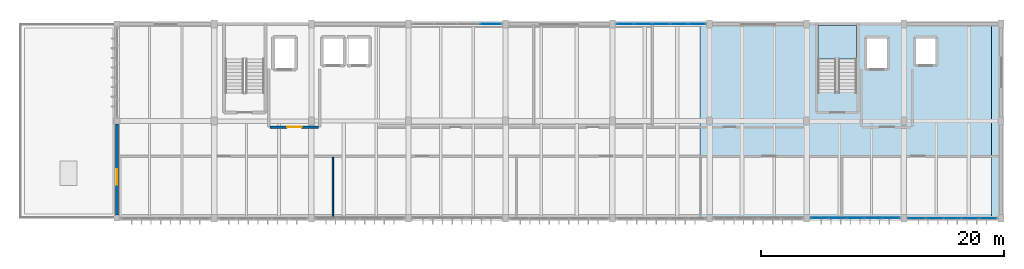
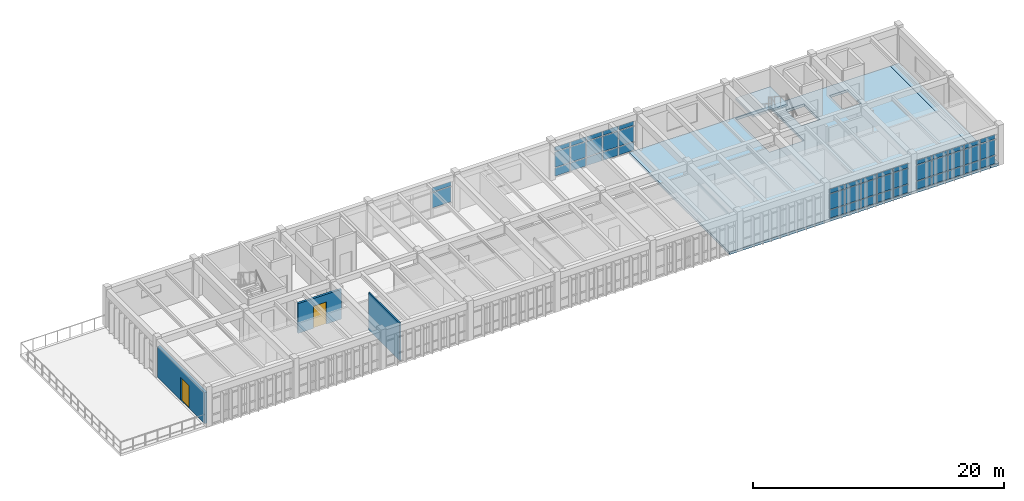
# One storey, part 10 of 15: 47 plates, 3 slabs, 3 walls, 2 doors, 2 openings, 5 elements without a shape of their own.
"""IFC4 building model written with IfcOpenShell, lengths in metres."""

from ifc_helpers import new_model, si_unit, direction, frame, frame_2d, origin, origin_2d, place, context, subcontext, project, spatial, polyline, rectangle, outline, extrude, material, layer, layer_set, type_object, element, fill, aggregate, save


model = new_model("IFC4")

# Units and contexts
model_context = context("Model", 3, precision=1e-05, world=origin(), true_north=direction((0.0, 1.0)))
body_context = subcontext(model_context, "Body", "Model", "MODEL_VIEW")
ifc_project = project(units=[si_unit("LENGTHUNIT", "METRE"), si_unit("AREAUNIT", "SQUARE_METRE"), si_unit("VOLUMEUNIT", "CUBIC_METRE"), si_unit("PLANEANGLEUNIT", "RADIAN"), si_unit("MASSUNIT", "GRAM", prefix="KILO")], contexts=[model_context])

# Site, building, storey
site_placement = place(None, origin())
site = spatial("IfcSite", under=ifc_project, at=site_placement, CompositionType="ELEMENT")
building_placement = place(site_placement, origin())
building = spatial("IfcBuilding", under=site, at=building_placement, Name="Tlaxcora Railside Police Headquarters", CompositionType="ELEMENT")
storey_placement = place(building_placement, frame((0.0, 0.0, 25.800048828125)))
storey = spatial("IfcBuildingStorey", under=building, at=storey_placement, Name="L06", CompositionType="ELEMENT", Elevation=25.800048828125)

# Curtain wall, plates
ifc_material_1 = material(Name="Thermally broken low-E insulated glazing", Category="glass")
curtain_wall_type_1 = type_object("IfcCurtainWallType", Name="Unitised Curtain Wall Assembly CW-23", PredefinedType="NOTDEFINED", material=ifc_material_1)
curtain_wall_1_placement = place(storey_placement, origin())
curtain_wall_1 = element("IfcCurtainWall", 1, at=curtain_wall_1_placement, inside=storey, type_object=curtain_wall_type_1, Name="V5 L06 curtain wall 128", PredefinedType="NOTDEFINED")
ifc_layer_1 = layer(ifc_material_1, 0.0400390625, Name="Thermally broken low-E insulated glazing")
ifc_layer_set_1 = layer_set([ifc_layer_1], Name="Thermally broken low-E insulated glazing")
plate_type_1 = type_object("IfcPlateType", Name="Curtain Wall Infill Panel CW-17", PredefinedType="CURTAIN_PANEL", material=ifc_layer_set_1)
plate_1_placement = place(storey_placement, frame((71.06005859375, 76.800048828125, 0.080078125), z_axis=(0.0, 0.0, 1.0), x_axis=(1.0, 0.0, 0.0)))
plate_1 = element("IfcPlate", 2, at=plate_1_placement, type_object=plate_type_1, Name="CW panel 1.1", PredefinedType="CURTAIN_PANEL", context=body_context, shape_type="SweptSolid", body=[
    extrude(rectangle(XDim=1.360107421875, YDim=0.0400390625, at=origin_2d()), origin(), (0.0, 0.0, 1.0), 0.780029296875),
])
plate_2_placement = place(storey_placement, frame((71.06005859375, 76.800048828125, 0.93994140625), z_axis=(0.0, 0.0, 1.0), x_axis=(1.0, 0.0, 0.0)))
plate_2 = element("IfcPlate", 3, at=plate_2_placement, type_object=plate_type_1, Name="CW panel 1.2", PredefinedType="CURTAIN_PANEL", context=body_context, shape_type="SweptSolid", body=[
    extrude(rectangle(XDim=1.360107421875, YDim=0.0400390625, at=origin_2d()), origin(), (0.0, 0.0, 1.0), 1.47998046875),
])
plate_3_placement = place(storey_placement, frame((71.06005859375, 76.800048828125, 2.5), z_axis=(0.0, 0.0, 1.0), x_axis=(1.0, 0.0, 0.0)))
plate_3 = element("IfcPlate", 4, at=plate_3_placement, type_object=plate_type_1, Name="CW panel 1.3", PredefinedType="CURTAIN_PANEL", context=body_context, shape_type="SweptSolid", body=[
    extrude(rectangle(XDim=1.360107421875, YDim=0.0400390625, at=origin_2d()), origin(), (0.0, 0.0, 1.0), 0.409912109375),
])
plate_4_placement = place(storey_placement, frame((72.52001953125, 76.800048828125, 0.080078125), z_axis=(0.0, 0.0, 1.0), x_axis=(1.0, 0.0, 0.0)))
plate_4 = element("IfcPlate", 5, at=plate_4_placement, type_object=plate_type_1, Name="CW panel 2.1", PredefinedType="CURTAIN_PANEL", context=body_context, shape_type="SweptSolid", body=[
    extrude(rectangle(XDim=1.39990234375, YDim=0.0400390625, at=origin_2d()), origin(), (0.0, 0.0, 1.0), 0.780029296875),
])
plate_5_placement = place(storey_placement, frame((72.52001953125, 76.800048828125, 0.93994140625), z_axis=(0.0, 0.0, 1.0), x_axis=(1.0, 0.0, 0.0)))
plate_5 = element("IfcPlate", 6, at=plate_5_placement, type_object=plate_type_1, Name="CW panel 2.2", PredefinedType="CURTAIN_PANEL", context=body_context, shape_type="SweptSolid", body=[
    extrude(rectangle(XDim=1.39990234375, YDim=0.0400390625, at=origin_2d()), origin(), (0.0, 0.0, 1.0), 1.47998046875),
])
plate_6_placement = place(storey_placement, frame((72.52001953125, 76.800048828125, 2.5), z_axis=(0.0, 0.0, 1.0), x_axis=(1.0, 0.0, 0.0)))
plate_6 = element("IfcPlate", 7, at=plate_6_placement, type_object=plate_type_1, Name="CW panel 2.3", PredefinedType="CURTAIN_PANEL", context=body_context, shape_type="SweptSolid", body=[
    extrude(rectangle(XDim=1.39990234375, YDim=0.0400390625, at=origin_2d()), origin(), (0.0, 0.0, 1.0), 0.409912109375),
])
plate_7_placement = place(storey_placement, frame((74.0, 76.800048828125, 0.080078125), z_axis=(0.0, 0.0, 1.0), x_axis=(1.0, 0.0, 0.0)))
plate_7 = element("IfcPlate", 8, at=plate_7_placement, type_object=plate_type_1, Name="CW panel 3.1", PredefinedType="CURTAIN_PANEL", context=body_context, shape_type="SweptSolid", body=[
    extrude(rectangle(XDim=1.39990234375, YDim=0.0400390625, at=origin_2d()), origin(), (0.0, 0.0, 1.0), 0.780029296875),
])
plate_8_placement = place(storey_placement, frame((74.0, 76.800048828125, 0.93994140625), z_axis=(0.0, 0.0, 1.0), x_axis=(1.0, 0.0, 0.0)))
plate_8 = element("IfcPlate", 9, at=plate_8_placement, type_object=plate_type_1, Name="CW panel 3.2", PredefinedType="CURTAIN_PANEL", context=body_context, shape_type="SweptSolid", body=[
    extrude(rectangle(XDim=1.39990234375, YDim=0.0400390625, at=origin_2d()), origin(), (0.0, 0.0, 1.0), 1.47998046875),
])
plate_9_placement = place(storey_placement, frame((74.0, 76.800048828125, 2.5), z_axis=(0.0, 0.0, 1.0), x_axis=(1.0, 0.0, 0.0)))
plate_9 = element("IfcPlate", 10, at=plate_9_placement, type_object=plate_type_1, Name="CW panel 3.3", PredefinedType="CURTAIN_PANEL", context=body_context, shape_type="SweptSolid", body=[
    extrude(rectangle(XDim=1.39990234375, YDim=0.0400390625, at=origin_2d()), origin(), (0.0, 0.0, 1.0), 0.409912109375),
])
plate_10_placement = place(storey_placement, frame((75.47998046875, 76.800048828125, 0.080078125), z_axis=(0.0, 0.0, 1.0), x_axis=(1.0, 0.0, 0.0)))
plate_10 = element("IfcPlate", 11, at=plate_10_placement, type_object=plate_type_1, Name="CW panel 4.1", PredefinedType="CURTAIN_PANEL", context=body_context, shape_type="SweptSolid", body=[
    extrude(rectangle(XDim=1.39990234375, YDim=0.0400390625, at=origin_2d()), origin(), (0.0, 0.0, 1.0), 0.780029296875),
])
plate_11_placement = place(storey_placement, frame((75.47998046875, 76.800048828125, 0.93994140625), z_axis=(0.0, 0.0, 1.0), x_axis=(1.0, 0.0, 0.0)))
plate_11 = element("IfcPlate", 12, at=plate_11_placement, type_object=plate_type_1, Name="CW panel 4.2", PredefinedType="CURTAIN_PANEL", context=body_context, shape_type="SweptSolid", body=[
    extrude(rectangle(XDim=1.39990234375, YDim=0.0400390625, at=origin_2d()), origin(), (0.0, 0.0, 1.0), 1.47998046875),
])
plate_12_placement = place(storey_placement, frame((75.47998046875, 76.800048828125, 2.5), z_axis=(0.0, 0.0, 1.0), x_axis=(1.0, 0.0, 0.0)))
plate_12 = element("IfcPlate", 13, at=plate_12_placement, type_object=plate_type_1, Name="CW panel 4.3", PredefinedType="CURTAIN_PANEL", context=body_context, shape_type="SweptSolid", body=[
    extrude(rectangle(XDim=1.39990234375, YDim=0.0400390625, at=origin_2d()), origin(), (0.0, 0.0, 1.0), 0.409912109375),
])
plate_13_placement = place(storey_placement, frame((76.93994140625, 76.800048828125, 0.080078125), z_axis=(0.0, 0.0, 1.0), x_axis=(1.0, 0.0, 0.0)))
plate_13 = element("IfcPlate", 14, at=plate_13_placement, type_object=plate_type_1, Name="CW panel 5.1", PredefinedType="CURTAIN_PANEL", context=body_context, shape_type="SweptSolid", body=[
    extrude(rectangle(XDim=1.360107421875, YDim=0.0400390625, at=origin_2d()), origin(), (0.0, 0.0, 1.0), 0.780029296875),
])
plate_14_placement = place(storey_placement, frame((76.93994140625, 76.800048828125, 0.93994140625), z_axis=(0.0, 0.0, 1.0), x_axis=(1.0, 0.0, 0.0)))
plate_14 = element("IfcPlate", 15, at=plate_14_placement, type_object=plate_type_1, Name="CW panel 5.2", PredefinedType="CURTAIN_PANEL", context=body_context, shape_type="SweptSolid", body=[
    extrude(rectangle(XDim=1.360107421875, YDim=0.0400390625, at=origin_2d()), origin(), (0.0, 0.0, 1.0), 1.47998046875),
])
plate_15_placement = place(storey_placement, frame((76.93994140625, 76.800048828125, 2.5), z_axis=(0.0, 0.0, 1.0), x_axis=(1.0, 0.0, 0.0)))
plate_15 = element("IfcPlate", 16, at=plate_15_placement, type_object=plate_type_1, Name="CW panel 5.3", PredefinedType="CURTAIN_PANEL", context=body_context, shape_type="SweptSolid", body=[
    extrude(rectangle(XDim=1.360107421875, YDim=0.0400390625, at=origin_2d()), origin(), (0.0, 0.0, 1.0), 0.409912109375),
])
aggregate(curtain_wall_1, [plate_1, plate_2, plate_3, plate_4, plate_5, plate_6, plate_7, plate_8, plate_9, plate_10, plate_11, plate_12, plate_13, plate_14, plate_15])

curtain_wall_type_2 = type_object("IfcCurtainWallType", Name="Unitised Curtain Wall Assembly CW-15", PredefinedType="NOTDEFINED", material=ifc_material_1)
curtain_wall_2_placement = place(storey_placement, origin())
curtain_wall_2 = element("IfcCurtainWall", 17, at=curtain_wall_2_placement, inside=storey, type_object=curtain_wall_type_2, Name="V5 L06 curtain wall 130", PredefinedType="NOTDEFINED")
ifc_layer_2 = layer(ifc_material_1, 0.031982421875, Name="Thermally broken low-E insulated glazing")
ifc_layer_set_2 = layer_set([ifc_layer_2], Name="Thermally broken low-E insulated glazing")
plate_type_2 = type_object("IfcPlateType", Name="Curtain Wall Infill Panel CW-41", PredefinedType="CURTAIN_PANEL", material=ifc_layer_set_2)
plate_16_placement = place(storey_placement, frame((60.941162109375, 92.800048828125, 0.074951171875), z_axis=(0.0, 0.0, 1.0), x_axis=(-1.0, 0.0, 0.0)))
plate_16 = element("IfcPlate", 18, at=plate_16_placement, type_object=plate_type_2, Name="CW panel 1.1", PredefinedType="CURTAIN_PANEL", context=body_context, shape_type="SweptSolid", body=[
    extrude(rectangle(XDim=1.367431640625, YDim=0.031982421875, at=origin_2d()), origin(), (0.0, 0.0, 1.0), 0.78759765625),
])
plate_17_placement = place(storey_placement, frame((60.941162109375, 92.800048828125, 0.9375), z_axis=(0.0, 0.0, 1.0), x_axis=(-1.0, 0.0, 0.0)))
plate_17 = element("IfcPlate", 19, at=plate_17_placement, type_object=plate_type_2, Name="CW panel 1.2", PredefinedType="CURTAIN_PANEL", context=body_context, shape_type="SweptSolid", body=[
    extrude(rectangle(XDim=1.367431640625, YDim=0.031982421875, at=origin_2d()), origin(), (0.0, 0.0, 1.0), 1.485107421875),
])
plate_18_placement = place(storey_placement, frame((60.941162109375, 92.800048828125, 2.49755859375), z_axis=(0.0, 0.0, 1.0), x_axis=(-1.0, 0.0, 0.0)))
plate_18 = element("IfcPlate", 20, at=plate_18_placement, type_object=plate_type_2, Name="CW panel 1.3", PredefinedType="CURTAIN_PANEL", context=body_context, shape_type="SweptSolid", body=[
    extrude(rectangle(XDim=1.367431640625, YDim=0.031982421875, at=origin_2d()), origin(), (0.0, 0.0, 1.0), 0.41748046875),
])
plate_19_placement = place(storey_placement, frame((59.47998046875, 92.800048828125, 0.074951171875), z_axis=(0.0, 0.0, 1.0), x_axis=(-1.0, 0.0, 0.0)))
plate_19 = element("IfcPlate", 21, at=plate_19_placement, type_object=plate_type_2, Name="CW panel 2.1", PredefinedType="CURTAIN_PANEL", context=body_context, shape_type="SweptSolid", body=[
    extrude(rectangle(XDim=1.405029296875, YDim=0.031982421875, at=origin_2d()), origin(), (0.0, 0.0, 1.0), 0.78759765625),
])
plate_20_placement = place(storey_placement, frame((59.47998046875, 92.800048828125, 0.9375), z_axis=(0.0, 0.0, 1.0), x_axis=(-1.0, 0.0, 0.0)))
plate_20 = element("IfcPlate", 22, at=plate_20_placement, type_object=plate_type_2, Name="CW panel 2.2", PredefinedType="CURTAIN_PANEL", context=body_context, shape_type="SweptSolid", body=[
    extrude(rectangle(XDim=1.405029296875, YDim=0.031982421875, at=origin_2d()), origin(), (0.0, 0.0, 1.0), 1.485107421875),
])
plate_21_placement = place(storey_placement, frame((59.47998046875, 92.800048828125, 2.49755859375), z_axis=(0.0, 0.0, 1.0), x_axis=(-1.0, 0.0, 0.0)))
plate_21 = element("IfcPlate", 23, at=plate_21_placement, type_object=plate_type_2, Name="CW panel 2.3", PredefinedType="CURTAIN_PANEL", context=body_context, shape_type="SweptSolid", body=[
    extrude(rectangle(XDim=1.405029296875, YDim=0.031982421875, at=origin_2d()), origin(), (0.0, 0.0, 1.0), 0.41748046875),
])
plate_22_placement = place(storey_placement, frame((58.0, 92.800048828125, 0.074951171875), z_axis=(0.0, 0.0, 1.0), x_axis=(-1.0, 0.0, 0.0)))
plate_22 = element("IfcPlate", 24, at=plate_22_placement, type_object=plate_type_2, Name="CW panel 3.1", PredefinedType="CURTAIN_PANEL", context=body_context, shape_type="SweptSolid", body=[
    extrude(rectangle(XDim=1.405029296875, YDim=0.031982421875, at=origin_2d()), origin(), (0.0, 0.0, 1.0), 0.78759765625),
])
plate_23_placement = place(storey_placement, frame((58.0, 92.800048828125, 0.9375), z_axis=(0.0, 0.0, 1.0), x_axis=(-1.0, 0.0, 0.0)))
plate_23 = element("IfcPlate", 25, at=plate_23_placement, type_object=plate_type_2, Name="CW panel 3.2", PredefinedType="CURTAIN_PANEL", context=body_context, shape_type="SweptSolid", body=[
    extrude(rectangle(XDim=1.405029296875, YDim=0.031982421875, at=origin_2d()), origin(), (0.0, 0.0, 1.0), 1.485107421875),
])
plate_24_placement = place(storey_placement, frame((58.0, 92.800048828125, 2.49755859375), z_axis=(0.0, 0.0, 1.0), x_axis=(-1.0, 0.0, 0.0)))
plate_24 = element("IfcPlate", 26, at=plate_24_placement, type_object=plate_type_2, Name="CW panel 3.3", PredefinedType="CURTAIN_PANEL", context=body_context, shape_type="SweptSolid", body=[
    extrude(rectangle(XDim=1.405029296875, YDim=0.031982421875, at=origin_2d()), origin(), (0.0, 0.0, 1.0), 0.41748046875),
])
plate_25_placement = place(storey_placement, frame((56.52001953125, 92.800048828125, 0.074951171875), z_axis=(0.0, 0.0, 1.0), x_axis=(-1.0, 0.0, 0.0)))
plate_25 = element("IfcPlate", 27, at=plate_25_placement, type_object=plate_type_2, Name="CW panel 4.1", PredefinedType="CURTAIN_PANEL", context=body_context, shape_type="SweptSolid", body=[
    extrude(rectangle(XDim=1.405029296875, YDim=0.031982421875, at=origin_2d()), origin(), (0.0, 0.0, 1.0), 0.78759765625),
])
plate_26_placement = place(storey_placement, frame((56.52001953125, 92.800048828125, 0.9375), z_axis=(0.0, 0.0, 1.0), x_axis=(-1.0, 0.0, 0.0)))
plate_26 = element("IfcPlate", 28, at=plate_26_placement, type_object=plate_type_2, Name="CW panel 4.2", PredefinedType="CURTAIN_PANEL", context=body_context, shape_type="SweptSolid", body=[
    extrude(rectangle(XDim=1.405029296875, YDim=0.031982421875, at=origin_2d()), origin(), (0.0, 0.0, 1.0), 1.485107421875),
])
plate_27_placement = place(storey_placement, frame((56.52001953125, 92.800048828125, 2.49755859375), z_axis=(0.0, 0.0, 1.0), x_axis=(-1.0, 0.0, 0.0)))
plate_27 = element("IfcPlate", 29, at=plate_27_placement, type_object=plate_type_2, Name="CW panel 4.3", PredefinedType="CURTAIN_PANEL", context=body_context, shape_type="SweptSolid", body=[
    extrude(rectangle(XDim=1.405029296875, YDim=0.031982421875, at=origin_2d()), origin(), (0.0, 0.0, 1.0), 0.41748046875),
])
plate_28_placement = place(storey_placement, frame((55.058837890625, 92.800048828125, 0.074951171875), z_axis=(0.0, 0.0, 1.0), x_axis=(-1.0, 0.0, 0.0)))
plate_28 = element("IfcPlate", 30, at=plate_28_placement, type_object=plate_type_2, Name="CW panel 5.1", PredefinedType="CURTAIN_PANEL", context=body_context, shape_type="SweptSolid", body=[
    extrude(rectangle(XDim=1.367431640625, YDim=0.031982421875, at=origin_2d()), origin(), (0.0, 0.0, 1.0), 0.78759765625),
])
plate_29_placement = place(storey_placement, frame((55.058837890625, 92.800048828125, 0.9375), z_axis=(0.0, 0.0, 1.0), x_axis=(-1.0, 0.0, 0.0)))
plate_29 = element("IfcPlate", 31, at=plate_29_placement, type_object=plate_type_2, Name="CW panel 5.2", PredefinedType="CURTAIN_PANEL", context=body_context, shape_type="SweptSolid", body=[
    extrude(rectangle(XDim=1.367431640625, YDim=0.031982421875, at=origin_2d()), origin(), (0.0, 0.0, 1.0), 1.485107421875),
])
plate_30_placement = place(storey_placement, frame((55.058837890625, 92.800048828125, 2.49755859375), z_axis=(0.0, 0.0, 1.0), x_axis=(-1.0, 0.0, 0.0)))
plate_30 = element("IfcPlate", 32, at=plate_30_placement, type_object=plate_type_2, Name="CW panel 5.3", PredefinedType="CURTAIN_PANEL", context=body_context, shape_type="SweptSolid", body=[
    extrude(rectangle(XDim=1.367431640625, YDim=0.031982421875, at=origin_2d()), origin(), (0.0, 0.0, 1.0), 0.41748046875),
])
aggregate(curtain_wall_2, [plate_16, plate_17, plate_18, plate_19, plate_20, plate_21, plate_22, plate_23, plate_24, plate_25, plate_26, plate_27, plate_28, plate_29, plate_30])

curtain_wall_type_3 = type_object("IfcCurtainWallType", Name="Unitised Curtain Wall Assembly CW-83", PredefinedType="NOTDEFINED", material=ifc_material_1)
curtain_wall_3_placement = place(storey_placement, origin())
curtain_wall_3 = element("IfcCurtainWall", 33, at=curtain_wall_3_placement, inside=storey, type_object=curtain_wall_type_3, Name="V5 L06 curtain wall 131", PredefinedType="NOTDEFINED")
ifc_layer_3 = layer(ifc_material_1, 0.035888671875, Name="Thermally broken low-E insulated glazing")
ifc_layer_set_3 = layer_set([ifc_layer_3], Name="Thermally broken low-E insulated glazing")
plate_type_3 = type_object("IfcPlateType", Name="Curtain Wall Infill Panel CW-72", PredefinedType="CURTAIN_PANEL", material=ifc_layer_set_3)
plate_31_placement = place(storey_placement, frame((43.955078125, 92.800048828125, 0.93994140625), z_axis=(0.0, 0.0, 1.0), x_axis=(-1.0, 0.0, 0.0)))
plate_31 = element("IfcPlate", 34, at=plate_31_placement, type_object=plate_type_3, Name="CW panel 1.2", PredefinedType="CURTAIN_PANEL", context=body_context, shape_type="SweptSolid", body=[
    extrude(rectangle(XDim=1.72998046875, YDim=0.035888671875, at=origin_2d()), origin(), (0.0, 0.0, 1.0), 1.47998046875),
])
plate_32_placement = place(storey_placement, frame((43.955078125, 92.800048828125, 2.5), z_axis=(0.0, 0.0, 1.0), x_axis=(-1.0, 0.0, 0.0)))
plate_32 = element("IfcPlate", 35, at=plate_32_placement, type_object=plate_type_3, Name="CW panel 1.3", PredefinedType="CURTAIN_PANEL", context=body_context, shape_type="SweptSolid", body=[
    extrude(rectangle(XDim=1.72998046875, YDim=0.035888671875, at=origin_2d()), origin(), (0.0, 0.0, 1.0), 0.409912109375),
])
aggregate(curtain_wall_3, [plate_31, plate_32])

curtain_wall_type_4 = type_object("IfcCurtainWallType", Name="Unitised Curtain Wall Assembly CW-38", PredefinedType="NOTDEFINED", material=ifc_material_1)
curtain_wall_4_placement = place(storey_placement, origin())
curtain_wall_4 = element("IfcCurtainWall", 36, at=curtain_wall_4_placement, inside=storey, type_object=curtain_wall_type_4, Name="V5 L06 curtain wall 129", PredefinedType="NOTDEFINED")
ifc_layer_4 = layer(ifc_material_1, 0.028076171875, Name="Thermally broken low-E insulated glazing")
ifc_layer_set_4 = layer_set([ifc_layer_4], Name="Thermally broken low-E insulated glazing")
plate_type_4 = type_object("IfcPlateType", Name="Curtain Wall Infill Panel CW-92", PredefinedType="CURTAIN_PANEL", material=ifc_layer_set_4)
plate_33_placement = place(storey_placement, frame((79.058837890625, 76.800048828125, 0.074951171875), z_axis=(0.0, 0.0, 1.0), x_axis=(1.0, 0.0, 0.0)))
plate_33 = element("IfcPlate", 37, at=plate_33_placement, type_object=plate_type_4, Name="CW panel 1.1", PredefinedType="CURTAIN_PANEL", context=body_context, shape_type="SweptSolid", body=[
    extrude(rectangle(XDim=1.367431640625, YDim=0.028076171875, at=origin_2d()), origin(), (0.0, 0.0, 1.0), 0.78759765625),
])
plate_34_placement = place(storey_placement, frame((79.058837890625, 76.800048828125, 0.9375), z_axis=(0.0, 0.0, 1.0), x_axis=(1.0, 0.0, 0.0)))
plate_34 = element("IfcPlate", 38, at=plate_34_placement, type_object=plate_type_4, Name="CW panel 1.2", PredefinedType="CURTAIN_PANEL", context=body_context, shape_type="SweptSolid", body=[
    extrude(rectangle(XDim=1.367431640625, YDim=0.028076171875, at=origin_2d()), origin(), (0.0, 0.0, 1.0), 1.485107421875),
])
plate_35_placement = place(storey_placement, frame((79.058837890625, 76.800048828125, 2.49755859375), z_axis=(0.0, 0.0, 1.0), x_axis=(1.0, 0.0, 0.0)))
plate_35 = element("IfcPlate", 39, at=plate_35_placement, type_object=plate_type_4, Name="CW panel 1.3", PredefinedType="CURTAIN_PANEL", context=body_context, shape_type="SweptSolid", body=[
    extrude(rectangle(XDim=1.367431640625, YDim=0.028076171875, at=origin_2d()), origin(), (0.0, 0.0, 1.0), 0.41748046875),
])
plate_36_placement = place(storey_placement, frame((80.52001953125, 76.800048828125, 0.074951171875), z_axis=(0.0, 0.0, 1.0), x_axis=(1.0, 0.0, 0.0)))
plate_36 = element("IfcPlate", 40, at=plate_36_placement, type_object=plate_type_4, Name="CW panel 2.1", PredefinedType="CURTAIN_PANEL", context=body_context, shape_type="SweptSolid", body=[
    extrude(rectangle(XDim=1.405029296875, YDim=0.028076171875, at=origin_2d()), origin(), (0.0, 0.0, 1.0), 0.78759765625),
])
plate_37_placement = place(storey_placement, frame((80.52001953125, 76.800048828125, 0.9375), z_axis=(0.0, 0.0, 1.0), x_axis=(1.0, 0.0, 0.0)))
plate_37 = element("IfcPlate", 41, at=plate_37_placement, type_object=plate_type_4, Name="CW panel 2.2", PredefinedType="CURTAIN_PANEL", context=body_context, shape_type="SweptSolid", body=[
    extrude(rectangle(XDim=1.405029296875, YDim=0.028076171875, at=origin_2d()), origin(), (0.0, 0.0, 1.0), 1.485107421875),
])
plate_38_placement = place(storey_placement, frame((80.52001953125, 76.800048828125, 2.49755859375), z_axis=(0.0, 0.0, 1.0), x_axis=(1.0, 0.0, 0.0)))
plate_38 = element("IfcPlate", 42, at=plate_38_placement, type_object=plate_type_4, Name="CW panel 2.3", PredefinedType="CURTAIN_PANEL", context=body_context, shape_type="SweptSolid", body=[
    extrude(rectangle(XDim=1.405029296875, YDim=0.028076171875, at=origin_2d()), origin(), (0.0, 0.0, 1.0), 0.41748046875),
])
plate_39_placement = place(storey_placement, frame((82.0, 76.800048828125, 0.074951171875), z_axis=(0.0, 0.0, 1.0), x_axis=(1.0, 0.0, 0.0)))
plate_39 = element("IfcPlate", 43, at=plate_39_placement, type_object=plate_type_4, Name="CW panel 3.1", PredefinedType="CURTAIN_PANEL", context=body_context, shape_type="SweptSolid", body=[
    extrude(rectangle(XDim=1.405029296875, YDim=0.028076171875, at=origin_2d()), origin(), (0.0, 0.0, 1.0), 0.78759765625),
])
plate_40_placement = place(storey_placement, frame((82.0, 76.800048828125, 0.9375), z_axis=(0.0, 0.0, 1.0), x_axis=(1.0, 0.0, 0.0)))
plate_40 = element("IfcPlate", 44, at=plate_40_placement, type_object=plate_type_4, Name="CW panel 3.2", PredefinedType="CURTAIN_PANEL", context=body_context, shape_type="SweptSolid", body=[
    extrude(rectangle(XDim=1.405029296875, YDim=0.028076171875, at=origin_2d()), origin(), (0.0, 0.0, 1.0), 1.485107421875),
])
plate_41_placement = place(storey_placement, frame((82.0, 76.800048828125, 2.49755859375), z_axis=(0.0, 0.0, 1.0), x_axis=(1.0, 0.0, 0.0)))
plate_41 = element("IfcPlate", 45, at=plate_41_placement, type_object=plate_type_4, Name="CW panel 3.3", PredefinedType="CURTAIN_PANEL", context=body_context, shape_type="SweptSolid", body=[
    extrude(rectangle(XDim=1.405029296875, YDim=0.028076171875, at=origin_2d()), origin(), (0.0, 0.0, 1.0), 0.41748046875),
])
plate_42_placement = place(storey_placement, frame((83.47998046875, 76.800048828125, 0.074951171875), z_axis=(0.0, 0.0, 1.0), x_axis=(1.0, 0.0, 0.0)))
plate_42 = element("IfcPlate", 46, at=plate_42_placement, type_object=plate_type_4, Name="CW panel 4.1", PredefinedType="CURTAIN_PANEL", context=body_context, shape_type="SweptSolid", body=[
    extrude(rectangle(XDim=1.405029296875, YDim=0.028076171875, at=origin_2d()), origin(), (0.0, 0.0, 1.0), 0.78759765625),
])
plate_43_placement = place(storey_placement, frame((83.47998046875, 76.800048828125, 0.9375), z_axis=(0.0, 0.0, 1.0), x_axis=(1.0, 0.0, 0.0)))
plate_43 = element("IfcPlate", 47, at=plate_43_placement, type_object=plate_type_4, Name="CW panel 4.2", PredefinedType="CURTAIN_PANEL", context=body_context, shape_type="SweptSolid", body=[
    extrude(rectangle(XDim=1.405029296875, YDim=0.028076171875, at=origin_2d()), origin(), (0.0, 0.0, 1.0), 1.485107421875),
])
plate_44_placement = place(storey_placement, frame((83.47998046875, 76.800048828125, 2.49755859375), z_axis=(0.0, 0.0, 1.0), x_axis=(1.0, 0.0, 0.0)))
plate_44 = element("IfcPlate", 48, at=plate_44_placement, type_object=plate_type_4, Name="CW panel 4.3", PredefinedType="CURTAIN_PANEL", context=body_context, shape_type="SweptSolid", body=[
    extrude(rectangle(XDim=1.405029296875, YDim=0.028076171875, at=origin_2d()), origin(), (0.0, 0.0, 1.0), 0.41748046875),
])
plate_45_placement = place(storey_placement, frame((84.941162109375, 76.800048828125, 0.074951171875), z_axis=(0.0, 0.0, 1.0), x_axis=(1.0, 0.0, 0.0)))
plate_45 = element("IfcPlate", 49, at=plate_45_placement, type_object=plate_type_4, Name="CW panel 5.1", PredefinedType="CURTAIN_PANEL", context=body_context, shape_type="SweptSolid", body=[
    extrude(rectangle(XDim=1.367431640625, YDim=0.028076171875, at=origin_2d()), origin(), (0.0, 0.0, 1.0), 0.78759765625),
])
plate_46_placement = place(storey_placement, frame((84.941162109375, 76.800048828125, 0.9375), z_axis=(0.0, 0.0, 1.0), x_axis=(1.0, 0.0, 0.0)))
plate_46 = element("IfcPlate", 50, at=plate_46_placement, type_object=plate_type_4, Name="CW panel 5.2", PredefinedType="CURTAIN_PANEL", context=body_context, shape_type="SweptSolid", body=[
    extrude(rectangle(XDim=1.367431640625, YDim=0.028076171875, at=origin_2d()), origin(), (0.0, 0.0, 1.0), 1.485107421875),
])
plate_47_placement = place(storey_placement, frame((84.941162109375, 76.800048828125, 2.49755859375), z_axis=(0.0, 0.0, 1.0), x_axis=(1.0, 0.0, 0.0)))
plate_47 = element("IfcPlate", 51, at=plate_47_placement, type_object=plate_type_4, Name="CW panel 5.3", PredefinedType="CURTAIN_PANEL", context=body_context, shape_type="SweptSolid", body=[
    extrude(rectangle(XDim=1.367431640625, YDim=0.028076171875, at=origin_2d()), origin(), (0.0, 0.0, 1.0), 0.41748046875),
])
aggregate(curtain_wall_4, [plate_33, plate_34, plate_35, plate_36, plate_37, plate_38, plate_39, plate_40, plate_41, plate_42, plate_43, plate_44, plate_45, plate_46, plate_47])

# Stair, slab
ifc_material_2 = material(Name="Concrete C40/50", Category="concrete")
stair_type = type_object("IfcStairType", Name="Half-Turn Dog-Leg Stair ST-30", PredefinedType="HALF_TURN_STAIR", material=ifc_material_2)
stair_placement = place(storey_placement, origin())
stair = element("IfcStair", 52, at=stair_placement, inside=storey, type_object=stair_type, Name="L06 ST2", PredefinedType="HALF_TURN_STAIR")
ifc_material_3 = material(Name="Concrete C35/45", Category="concrete")
ifc_layer_5 = layer(ifc_material_3, 0.199951171875, Name="Concrete C35/45")
ifc_layer_set_5 = layer_set([ifc_layer_5], Name="Concrete C35/45")
slab_type_1 = type_object("IfcSlabType", Name="Stair Landing Slab SL-23", PredefinedType="LANDING", material=ifc_layer_set_5)
slab_1_placement = place(storey_placement, frame((0.0, 0.0, 1.75)))
slab_1 = element("IfcSlab", 53, at=slab_1_placement, type_object=slab_type_1, Name="ST2 landing 1", PredefinedType="LANDING", context=body_context, shape_type="SweptSolid", body=[
    extrude(outline(polyline([(74.110107421875, 89.909912109375), (74.110107421875, 92.68994140625), (70.909912109375, 92.68994140625), (70.909912109375, 89.909912109375), (74.110107421875, 89.909912109375)])), origin(), (0.0, 0.0, 1.0), 0.199951171875),
])
aggregate(stair, [slab_1])

# Slabs
ifc_layer_6 = layer(ifc_material_3, 0.25, Name="Concrete C35/45")
ifc_layer_set_6 = layer_set([ifc_layer_6], Name="Concrete C35/45")
slab_type_2 = type_object("IfcSlabType", Name="Suspended Floor Slab SL-22", PredefinedType="FLOOR", material=ifc_layer_set_6)
slab_2_placement = place(storey_placement, frame((0.0, 0.0, -0.25)))
element("IfcSlab", 54, at=slab_2_placement, inside=storey, type_object=slab_type_2, Name="V5 L06 floor slab zone 3", PredefinedType="FLOOR", context=body_context, shape_type="SweptSolid", body=[
    extrude(outline(polyline([(85.199951171875, 92.800048828125), (61.199951171875, 92.800048828125), (61.199951171875, 76.800048828125), (85.199951171875, 76.800048828125), (85.199951171875, 92.800048828125)]), holes=[polyline([(70.909912109375, 92.68994140625), (74.110107421875, 92.68994140625), (74.110107421875, 87.25), (70.909912109375, 87.25), (70.909912109375, 92.68994140625)]), polyline([(76.64990234375, 91.64990234375), (76.64990234375, 89.14990234375), (74.949951171875, 89.14990234375), (74.949951171875, 91.64990234375), (76.64990234375, 91.64990234375)]), polyline([(80.64990234375, 89.449951171875), (78.949951171875, 89.449951171875), (78.949951171875, 91.64990234375), (80.64990234375, 91.64990234375), (80.64990234375, 89.449951171875)])]), origin(), (0.0, 0.0, 1.0), 0.25),
])
slab_3_placement = place(storey_placement, frame((0.0, 0.0, -0.25)))
element("IfcSlab", 55, at=slab_3_placement, inside=storey, type_object=slab_type_2, Name="V5 L06 floor slab zone 4", PredefinedType="FLOOR", context=body_context, shape_type="SweptSolid", body=[
    extrude(outline(polyline([(86.0, 92.800048828125), (85.199951171875, 92.800048828125), (85.199951171875, 76.800048828125), (86.0, 76.800048828125), (86.0, 92.800048828125)])), origin(), (0.0, 0.0, 1.0), 0.25),
])

# Wall, opening, door
ifc_material_4 = material(Name="Pressed clay brick masonry", Category="masonry")
ifc_layer_7 = layer(ifc_material_4, 0.199951171875, Name="Pressed clay brick masonry")
ifc_layer_set_7 = layer_set([ifc_layer_7], Name="Pressed clay brick masonry")
wall_type_1 = type_object("IfcWallType", Name="Interior Partition Wall IW-60", PredefinedType="PARTITIONING", material=ifc_layer_set_7)
wall_1_placement = place(storey_placement, frame((25.800048828125, 84.300048828125, 0.0), z_axis=(0.0, 0.0, 1.0), x_axis=(1.0, 0.0, 0.0)))
wall_1 = element("IfcWall", 56, at=wall_1_placement, inside=storey, type_object=wall_type_1, Name="V5 L06 interior partition 235", PredefinedType="PARTITIONING", context=body_context, shape_type="SweptSolid", body=[
    extrude(rectangle(XDim=4.0, YDim=0.199951171875, at=frame_2d((2.0, 0.0))), origin(), (0.0, 0.0, 1.0), 2.89501953125),
])
opening_1_placement = place(wall_1_placement, frame((1.39990234375, 0.0, 0.0)))
opening_1 = element("IfcOpeningElement", 57, at=opening_1_placement, cuts=wall_1, Name="Opening D-L06-255", PredefinedType="OPENING", context=body_context, shape_type="SweptSolid", body=[
    extrude(rectangle(XDim=1.199951171875, YDim=2.14990234375, at=frame_2d((0.60009765625, 1.074951171875))), frame((0.0, 0.10986328125, 0.0), z_axis=(0.0, -1.0, 0.0), x_axis=(1.0, 0.0, 0.0)), (0.0, 0.0, 1.0), 0.219970703125),
])
ifc_material_5 = material(Name="Steel ASTM A992 Grade 50", Category="steel")
door_type_1 = type_object("IfcDoorType", Name="Swing or Sliding Personnel Door ID-14", OperationType="NOTDEFINED", PredefinedType="DOOR", material=ifc_material_5)
door_1_placement = place(opening_1_placement, origin())
door_1 = element("IfcDoor", 58, at=door_1_placement, inside=storey, type_object=door_type_1, Name="V5 L06 door D-L06-255", OperationType="DOUBLE_DOOR_SINGLE_SWING", OverallHeight=2.14990234375, OverallWidth=1.199951171875, PredefinedType="DOOR", context=body_context, shape_type="SweptSolid", body=[
    extrude(rectangle(XDim=1.199951171875, YDim=2.14990234375, at=frame_2d((0.60009765625, 1.074951171875))), frame((0.0, 0.02490234375, 0.0), z_axis=(0.0, -1.0, 0.0), x_axis=(1.0, 0.0, 0.0)), (0.0, 0.0, 1.0), 0.050048828125),
])
fill(opening_1, door_1)

# Wall
ifc_material_6 = material(Name="Gypsum acoustic partition board")
ifc_layer_8 = layer(ifc_material_6, 0.114990234375, Name="Gypsum acoustic partition board")
ifc_layer_set_8 = layer_set([ifc_layer_8], Name="Gypsum acoustic partition board")
wall_type_2 = type_object("IfcWallType", Name="Interior Partition Wall IW-87", PredefinedType="PARTITIONING", material=ifc_layer_set_8)
wall_2_placement = place(storey_placement, frame((30.968017578125, 76.8798828125, 0.0), z_axis=(0.0, 0.0, 1.0), x_axis=(0.0, 1.0, 0.0)))
element("IfcWall", 59, at=wall_2_placement, inside=storey, type_object=wall_type_2, Name="V5 L06 interior partition 241", PredefinedType="PARTITIONING", context=body_context, shape_type="SweptSolid", body=[
    extrude(rectangle(XDim=4.920166015625, YDim=0.114990234375, at=frame_2d((2.4599609375, 0.0))), origin(), (0.0, 0.0, 1.0), 3.659912109375),
])

# Wall, opening, door
ifc_material_7 = material(Name="Precast concrete C40/50", Category="concrete")
ifc_layer_9 = layer(ifc_material_7, 0.2451171875, Name="Precast concrete C40/50")
ifc_layer_set_9 = layer_set([ifc_layer_9], Name="Precast concrete C40/50")
wall_type_3 = type_object("IfcWallType", Name="Structural Bearing Wall EW-94", PredefinedType="SOLIDWALL", material=ifc_layer_set_9)
wall_3_placement = place(storey_placement, frame((13.199951171875, 84.550048828125, 0.0), z_axis=(0.0, 0.0, 1.0), x_axis=(0.0, -1.0, 0.0)))
wall_3 = element("IfcWall", 60, at=wall_3_placement, inside=storey, type_object=wall_type_3, Name="V5 L06 exterior wall 3.1", PredefinedType="SOLIDWALL", context=body_context, shape_type="SweptSolid", body=[
    extrude(rectangle(XDim=7.5, YDim=0.2451171875, at=frame_2d((3.75, 0.0))), origin(), (0.0, 0.0, 1.0), 3.010009765625),
])
opening_2_placement = place(wall_3_placement, frame((3.699951171875, 0.0, 0.0)))
opening_2 = element("IfcOpeningElement", 61, at=opening_2_placement, cuts=wall_3, Name="Opening TD-07", PredefinedType="OPENING", context=body_context, shape_type="SweptSolid", body=[
    extrude(rectangle(XDim=1.300048828125, YDim=2.199951171875, at=frame_2d((0.64990234375, 1.10009765625))), frame((0.0, 0.132568359375, 0.0), z_axis=(0.0, -1.0, 0.0), x_axis=(1.0, 0.0, 0.0)), (0.0, 0.0, 1.0), 0.26513671875),
])
ifc_material_8 = material(Name="Anodised aluminium framing", Category="aluminium")
door_type_2 = type_object("IfcDoorType", Name="Swing or Sliding Personnel Door ED-62", OperationType="NOTDEFINED", PredefinedType="DOOR", material=ifc_material_8)
door_2_placement = place(opening_2_placement, frame((1.300048828125, 0.0, 0.0), z_axis=(0.0, 0.0, 1.0), x_axis=(-1.0, 0.0, 0.0)))
door_2 = element("IfcDoor", 62, at=door_2_placement, inside=storey, type_object=door_type_2, Name="V5 L06 planted terrace access door", OperationType="SINGLE_SWING_LEFT", OverallHeight=2.199951171875, OverallWidth=1.300048828125, PredefinedType="DOOR", context=body_context, shape_type="SweptSolid", body=[
    extrude(rectangle(XDim=1.300048828125, YDim=2.199951171875, at=frame_2d((0.64990234375, 1.10009765625))), frame((0.0, 0.02490234375, 0.0), z_axis=(0.0, -1.0, 0.0), x_axis=(1.0, 0.0, 0.0)), (0.0, 0.0, 1.0), 0.050048828125),
])
fill(opening_2, door_2)

save(model, "model.ifc")
